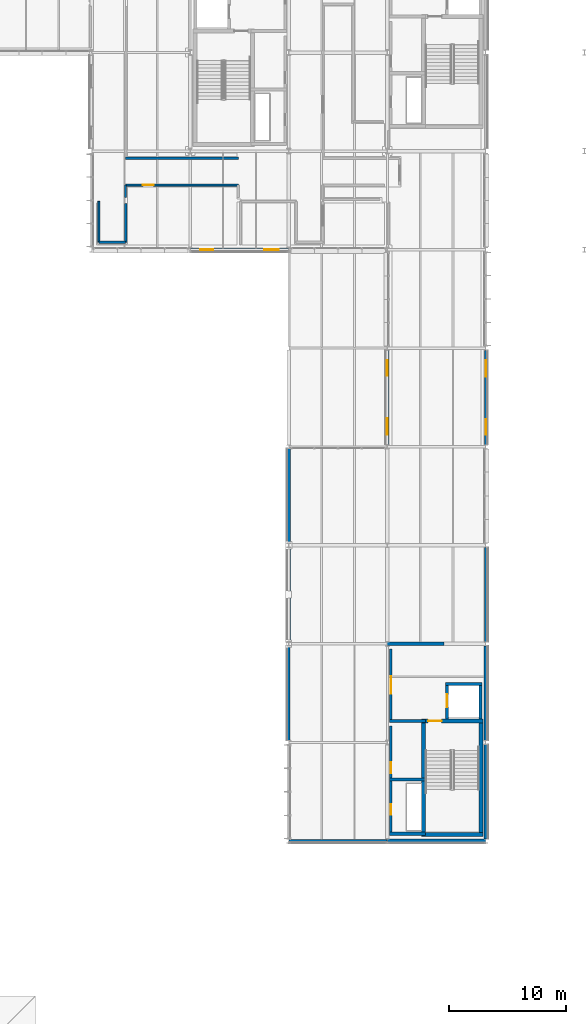
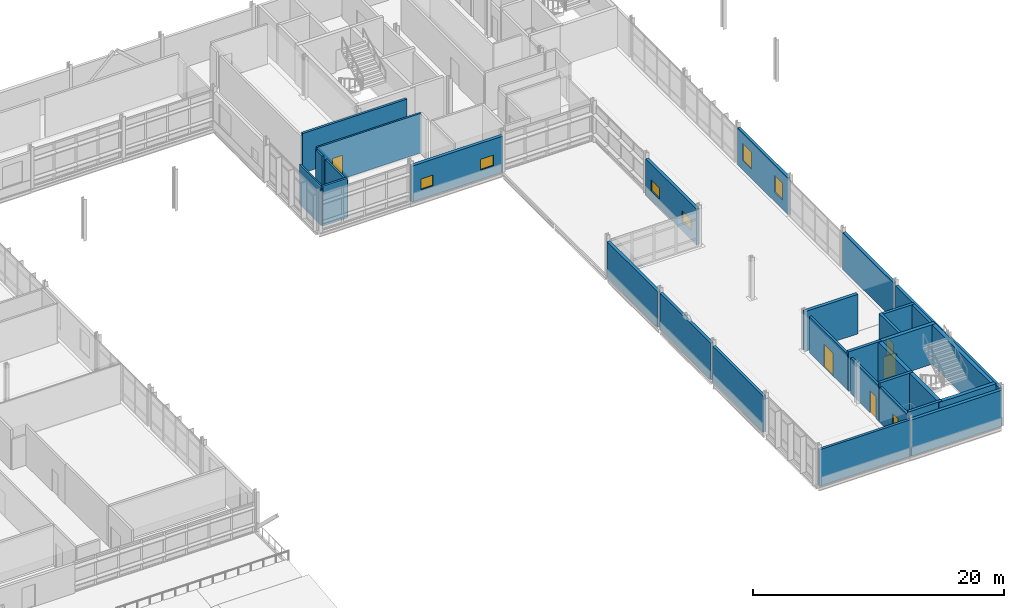
# One storey, part 88 of 103: 31 walls, 6 doors, 6 windows, 12 openings.
"""IFC4 building model written with IfcOpenShell, lengths in metres."""

from ifc_helpers import new_model, si_unit, direction, frame, frame_2d, origin, place, context, subcontext, project, spatial, rectangle, extrude, material, layer, layer_set, type_object, element, fill, save


model = new_model("IFC4")

# Units and contexts
model_context = context("Model", 3, precision=1e-05, world=origin(), true_north=direction((0.0, 1.0)))
body_context = subcontext(model_context, "Body", "Model", "MODEL_VIEW")
ifc_project = project(units=[si_unit("LENGTHUNIT", "METRE"), si_unit("AREAUNIT", "SQUARE_METRE"), si_unit("VOLUMEUNIT", "CUBIC_METRE"), si_unit("PLANEANGLEUNIT", "RADIAN"), si_unit("MASSUNIT", "GRAM", prefix="KILO")], contexts=[model_context])

# Site, building, storey
site_placement = place(None, origin())
site = spatial("IfcSite", under=ifc_project, at=site_placement, CompositionType="ELEMENT")
building_placement = place(site_placement, origin())
building = spatial("IfcBuilding", under=site, at=building_placement, Name="Mersafa Astral City Hall", CompositionType="ELEMENT")
storey_placement = place(building_placement, frame((0.0, 0.0, 18.0)))
storey = spatial("IfcBuildingStorey", under=building, at=storey_placement, Name="L04", CompositionType="ELEMENT", Elevation=18.0)

# Walls
ifc_material_1 = material(Name="Precast concrete C40/50 insulated terracotta spandrel", Category="masonry")
ifc_layer_1 = layer(ifc_material_1, 0.235107421875, Name="Precast concrete C40/50 insulated terracotta spandrel")
ifc_layer_set_1 = layer_set([ifc_layer_1], Name="Precast concrete C40/50 insulated terracotta spandrel — ENV-WAL-EXT-235")
wall_type_1 = type_object("IfcWallType", Name="ENV-WAL-EXT-235", PredefinedType="STANDARD", material=ifc_layer_set_1)
wall_1_placement = place(storey_placement, frame((159.60791015625, 50.39990234375, 0.0), z_axis=(0.0, 0.0, 1.0), x_axis=(1.0, 0.0, 0.0)))
element("IfcWall", 1, at=wall_1_placement, inside=storey, type_object=wall_type_1, Name="L04 Limestone-clad exterior wall 287", PredefinedType="STANDARD", context=body_context, shape_type="SweptSolid", body=[
    extrude(rectangle(XDim=8.384033203125, YDim=0.235107421875, at=frame_2d((4.19189453125, 0.0))), origin(), (0.0, 0.0, 1.0), 3.52197265625),
])
ifc_layer_2 = layer(ifc_material_1, 0.25, Name="Precast concrete C40/50 insulated terracotta spandrel")
ifc_layer_set_2 = layer_set([ifc_layer_2], Name="Precast concrete C40/50 insulated terracotta spandrel — ENV-WAL-EXT-250")
wall_type_2 = type_object("IfcWallType", Name="ENV-WAL-EXT-250", PredefinedType="STANDARD", material=ifc_layer_set_2)
wall_2_placement = place(storey_placement, frame((159.60009765625, 67.033935546875, 0.0), z_axis=(0.0, 0.0, 1.0), x_axis=(0.0, -1.0, 0.0)))
element("IfcWall", 2, at=wall_2_placement, inside=storey, type_object=wall_type_2, Name="L04 Limestone-clad exterior wall 286", PredefinedType="STANDARD", context=body_context, shape_type="SweptSolid", body=[
    extrude(rectangle(XDim=8.057861328125, YDim=0.25, at=frame_2d((4.02880859375, 0.0))), origin(), (0.0, 0.0, 1.0), 3.491943359375),
])

# Wall, openings, windows
wall_3_placement = place(storey_placement, frame((176.39990234375, 84.166015625, 0.0), z_axis=(0.0, 0.0, 1.0), x_axis=(0.0, 1.0, 0.0)))
wall_3 = element("IfcWall", 3, at=wall_3_placement, inside=storey, type_object=wall_type_2, Name="L04 Limestone-clad exterior wall 292", PredefinedType="STANDARD", context=body_context, shape_type="SweptSolid", body=[
    extrude(rectangle(XDim=8.05810546875, YDim=0.25, at=frame_2d((4.029052734375, 0.0))), origin(), (0.0, 0.0, 1.0), 3.58203125),
])
opening_1_placement = place(wall_3_placement, frame((0.85009765625, 0.0, 0.89990234375)))
opening_1 = element("IfcOpeningElement", 4, at=opening_1_placement, cuts=wall_3, Name="Opening W-34", PredefinedType="OPENING", context=body_context, shape_type="SweptSolid", body=[
    extrude(rectangle(XDim=1.320068359375, YDim=1.64990234375, at=frame_2d((0.66015625, 0.824951171875))), frame((0.0, 0.135009765625, 0.0), z_axis=(0.0, -1.0, 0.0), x_axis=(1.0, 0.0, 0.0)), (0.0, 0.0, 1.0), 0.27001953125),
])
opening_2_placement = place(wall_3_placement, frame((5.7880859375, 0.0, 0.89990234375)))
opening_2 = element("IfcOpeningElement", 5, at=opening_2_placement, cuts=wall_3, Name="Opening W-35", PredefinedType="OPENING", context=body_context, shape_type="SweptSolid", body=[
    extrude(rectangle(XDim=1.419921875, YDim=1.64990234375, at=frame_2d((0.7099609375, 0.824951171875))), frame((0.0, 0.135009765625, 0.0), z_axis=(0.0, -1.0, 0.0), x_axis=(1.0, 0.0, 0.0)), (0.0, 0.0, 1.0), 0.27001953125),
])
ifc_material_2 = material(Name="Solar control low-e double glazing in bronze frame", Category="glass")
window_type_1 = type_object("IfcWindowType", Name="ENV-WIN-W-34", PartitioningType="SINGLE_PANEL", PredefinedType="WINDOW", material=ifc_material_2)
window_1_placement = place(opening_1_placement, origin())
window_1 = element("IfcWindow", 6, at=window_1_placement, inside=storey, type_object=window_type_1, Name="L04 Solar punched window 292-L", OverallHeight=1.64990234375, OverallWidth=1.320068359375, PartitioningType="SINGLE_PANEL", PredefinedType="WINDOW", context=body_context, shape_type="SweptSolid", body=[
    extrude(rectangle(XDim=1.320068359375, YDim=1.64990234375, at=frame_2d((0.66015625, 0.824951171875))), frame((0.0, 0.030029296875, 0.0), z_axis=(0.0, -1.0, 0.0), x_axis=(1.0, 0.0, 0.0)), (0.0, 0.0, 1.0), 0.06005859375),
])
fill(opening_1, window_1)
window_type_2 = type_object("IfcWindowType", Name="ENV-WIN-W-35", PartitioningType="SINGLE_PANEL", PredefinedType="WINDOW", material=ifc_material_2)
window_2_placement = place(opening_2_placement, origin())
window_2 = element("IfcWindow", 7, at=window_2_placement, inside=storey, type_object=window_type_2, Name="L04 Solar punched window 292-R", OverallHeight=1.64990234375, OverallWidth=1.419921875, PartitioningType="SINGLE_PANEL", PredefinedType="WINDOW", context=body_context, shape_type="SweptSolid", body=[
    extrude(rectangle(XDim=1.419921875, YDim=1.64990234375, at=frame_2d((0.7099609375, 0.824951171875))), frame((0.0, 0.030029296875, 0.0), z_axis=(0.0, -1.0, 0.0), x_axis=(1.0, 0.0, 0.0)), (0.0, 0.0, 1.0), 0.06005859375),
])
fill(opening_2, window_2)

# Walls
ifc_material_3 = material(Name="Precast concrete C40/50 insulated limestone wall", Category="masonry")
ifc_layer_3 = layer(ifc_material_3, 0.264892578125, Name="Precast concrete C40/50 insulated limestone wall")
ifc_layer_set_3 = layer_set([ifc_layer_3], Name="Precast concrete C40/50 insulated limestone wall — ENV-WAL-EXT-265")
wall_type_3 = type_object("IfcWallType", Name="ENV-WAL-EXT-265", PredefinedType="STANDARD", material=ifc_layer_set_3)
for number, where, z_axis, x_axis, name in (
    (8, (159.60009765625, 75.424072265625, 0.0), (0.0, 0.0, 1.0), (0.0, -1.0, 0.0), "L04 Limestone-clad exterior wall 285"),
    (9, (176.39990234375, 67.365966796875, 0.0), (0.0, 0.0, 1.0), (0.0, 1.0, 0.0), "L04 Limestone-clad exterior wall 291"),
):
    element("IfcWall", number, at=place(storey_placement, frame(where, z_axis=z_axis, x_axis=x_axis)), inside=storey, type_object=wall_type_3, Name=name, PredefinedType="STANDARD", context=body_context, shape_type="SweptSolid", body=[
        extrude(rectangle(XDim=8.05810546875, YDim=0.264892578125, at=frame_2d((4.029052734375, 0.0))), origin(), (0.0, 0.0, 1.0), 3.58203125),
    ])
ifc_layer_4 = layer(ifc_material_3, 0.280029296875, Name="Precast concrete C40/50 insulated limestone wall")
ifc_layer_set_4 = layer_set([ifc_layer_4], Name="Precast concrete C40/50 insulated limestone wall — ENV-WAL-EXT-280")
wall_type_4 = type_object("IfcWallType", Name="ENV-WAL-EXT-280", PredefinedType="STANDARD", material=ifc_layer_set_4)
wall_4_placement = place(storey_placement, frame((159.60009765625, 83.85400390625, 0.0), z_axis=(0.0, 0.0, 1.0), x_axis=(0.0, -1.0, 0.0)))
element("IfcWall", 10, at=wall_4_placement, inside=storey, type_object=wall_type_4, Name="L04 Limestone-clad exterior wall 284", PredefinedType="STANDARD", context=body_context, shape_type="SweptSolid", body=[
    extrude(rectangle(XDim=8.078125, YDim=0.280029296875, at=frame_2d((4.0390625, 0.0))), origin(), (0.0, 0.0, 1.0), 3.471923828125),
])
wall_5_placement = place(storey_placement, frame((176.39990234375, 58.97607421875, 0.0), z_axis=(0.0, 0.0, 1.0), x_axis=(0.0, 1.0, 0.0)))
element("IfcWall", 11, at=wall_5_placement, inside=storey, type_object=wall_type_4, Name="L04 Limestone-clad exterior wall 290", PredefinedType="STANDARD", context=body_context, shape_type="SweptSolid", body=[
    extrude(rectangle(XDim=8.057861328125, YDim=0.280029296875, at=frame_2d((4.02880859375, 0.0))), origin(), (0.0, 0.0, 1.0), 3.491943359375),
])

# Wall, openings, windows
wall_6_placement = place(storey_placement, frame((168.0, 92.23388671875, 0.0), z_axis=(0.0, 0.0, 1.0), x_axis=(0.0, -1.0, 0.0)))
wall_6 = element("IfcWall", 12, at=wall_6_placement, inside=storey, type_object=wall_type_4, Name="L04 Limestone-clad exterior wall 332", PredefinedType="STANDARD", context=body_context, shape_type="SweptSolid", body=[
    extrude(rectangle(XDim=8.057861328125, YDim=0.280029296875, at=frame_2d((4.02880859375, 0.0))), origin(), (0.0, 0.0, 1.0), 3.491943359375),
])
opening_3_placement = place(wall_6_placement, frame((0.85009765625, 0.0, 0.89990234375)))
opening_3 = element("IfcOpeningElement", 13, at=opening_3_placement, cuts=wall_6, Name="Opening W-04", PredefinedType="OPENING", context=body_context, shape_type="SweptSolid", body=[
    extrude(rectangle(XDim=1.320068359375, YDim=1.050048828125, at=frame_2d((0.66015625, 0.52490234375))), frame((0.0, 0.14990234375, 0.0), z_axis=(0.0, -1.0, 0.0), x_axis=(1.0, 0.0, 0.0)), (0.0, 0.0, 1.0), 0.300048828125),
])
opening_4_placement = place(wall_6_placement, frame((5.7880859375, 0.0, 0.89990234375)))
opening_4 = element("IfcOpeningElement", 14, at=opening_4_placement, cuts=wall_6, Name="Opening W-05", PredefinedType="OPENING", context=body_context, shape_type="SweptSolid", body=[
    extrude(rectangle(XDim=1.419921875, YDim=1.050048828125, at=frame_2d((0.7099609375, 0.52490234375))), frame((0.0, 0.14990234375, 0.0), z_axis=(0.0, -1.0, 0.0), x_axis=(1.0, 0.0, 0.0)), (0.0, 0.0, 1.0), 0.300048828125),
])
window_type_3 = type_object("IfcWindowType", Name="ENV-WIN-W-04", PartitioningType="SINGLE_PANEL", PredefinedType="WINDOW", material=ifc_material_2)
window_3_placement = place(opening_3_placement, origin())
window_3 = element("IfcWindow", 15, at=window_3_placement, inside=storey, type_object=window_type_3, Name="L04 Solar punched window 332-L", OverallHeight=1.050048828125, OverallWidth=1.320068359375, PartitioningType="SINGLE_PANEL", PredefinedType="WINDOW", context=body_context, shape_type="SweptSolid", body=[
    extrude(rectangle(XDim=1.320068359375, YDim=1.050048828125, at=frame_2d((0.66015625, 0.52490234375))), frame((0.0, 0.030029296875, 0.0), z_axis=(0.0, -1.0, 0.0), x_axis=(1.0, 0.0, 0.0)), (0.0, 0.0, 1.0), 0.06005859375),
])
fill(opening_3, window_3)
window_type_4 = type_object("IfcWindowType", Name="ENV-WIN-W-05", PartitioningType="SINGLE_PANEL", PredefinedType="WINDOW", material=ifc_material_2)
window_4_placement = place(opening_4_placement, origin())
window_4 = element("IfcWindow", 16, at=window_4_placement, inside=storey, type_object=window_type_4, Name="L04 Solar punched window 332-R", OverallHeight=1.050048828125, OverallWidth=1.419921875, PartitioningType="SINGLE_PANEL", PredefinedType="WINDOW", context=body_context, shape_type="SweptSolid", body=[
    extrude(rectangle(XDim=1.419921875, YDim=1.050048828125, at=frame_2d((0.7099609375, 0.52490234375))), frame((0.0, 0.030029296875, 0.0), z_axis=(0.0, -1.0, 0.0), x_axis=(1.0, 0.0, 0.0)), (0.0, 0.0, 1.0), 0.06005859375),
])
fill(opening_4, window_4)

# Wall
ifc_layer_5 = layer(ifc_material_3, 0.294921875, Name="Precast concrete C40/50 insulated limestone wall")
ifc_layer_set_5 = layer_set([ifc_layer_5], Name="Precast concrete C40/50 insulated limestone wall — ENV-WAL-EXT-295")
wall_type_5 = type_object("IfcWallType", Name="ENV-WAL-EXT-295", PredefinedType="STANDARD", material=ifc_layer_set_5)
wall_7_placement = place(storey_placement, frame((176.39990234375, 50.56591796875, 0.0), z_axis=(0.0, 0.0, 1.0), x_axis=(0.0, 1.0, 0.0)))
element("IfcWall", 17, at=wall_7_placement, inside=storey, type_object=wall_type_5, Name="L04 Limestone-clad exterior wall 289", PredefinedType="STANDARD", context=body_context, shape_type="SweptSolid", body=[
    extrude(rectangle(XDim=8.05810546875, YDim=0.294921875, at=frame_2d((4.029052734375, 0.0))), origin(), (0.0, 0.0, 1.0), 3.58203125),
])

# Wall, openings, windows
wall_8_placement = place(storey_placement, frame((151.2080078125, 100.800048828125, 0.0), z_axis=(0.0, 0.0, 1.0), x_axis=(1.0, 0.0, 0.0)))
wall_8 = element("IfcWall", 18, at=wall_8_placement, inside=storey, type_object=wall_type_5, Name="L04 Limestone-clad exterior wall 331", PredefinedType="STANDARD", context=body_context, shape_type="SweptSolid", body=[
    extrude(rectangle(XDim=8.384033203125, YDim=0.294921875, at=frame_2d((4.19189453125, 0.0))), origin(), (0.0, 0.0, 1.0), 3.491943359375),
])
opening_5_placement = place(wall_8_placement, frame((0.85009765625, 0.0, 0.89990234375)))
opening_5 = element("IfcOpeningElement", 19, at=opening_5_placement, cuts=wall_8, Name="Opening W-02", PredefinedType="OPENING", context=body_context, shape_type="SweptSolid", body=[
    extrude(rectangle(XDim=1.1201171875, YDim=1.050048828125, at=frame_2d((0.56005859375, 0.52490234375))), frame((0.0, 0.157470703125, 0.0), z_axis=(0.0, -1.0, 0.0), x_axis=(1.0, 0.0, 0.0)), (0.0, 0.0, 1.0), 0.31494140625),
])
opening_6_placement = place(wall_8_placement, frame((6.31396484375, 0.0, 0.89990234375)))
opening_6 = element("IfcOpeningElement", 20, at=opening_6_placement, cuts=wall_8, Name="Opening W-03", PredefinedType="OPENING", context=body_context, shape_type="SweptSolid", body=[
    extrude(rectangle(XDim=1.219970703125, YDim=1.050048828125, at=frame_2d((0.60986328125, 0.52490234375))), frame((0.0, 0.157470703125, 0.0), z_axis=(0.0, -1.0, 0.0), x_axis=(1.0, 0.0, 0.0)), (0.0, 0.0, 1.0), 0.31494140625),
])
window_type_5 = type_object("IfcWindowType", Name="ENV-WIN-W-02", PartitioningType="SINGLE_PANEL", PredefinedType="WINDOW", material=ifc_material_2)
window_5_placement = place(opening_5_placement, origin())
window_5 = element("IfcWindow", 21, at=window_5_placement, inside=storey, type_object=window_type_5, Name="L04 Solar punched window 331-L", OverallHeight=1.050048828125, OverallWidth=1.1201171875, PartitioningType="SINGLE_PANEL", PredefinedType="WINDOW", context=body_context, shape_type="SweptSolid", body=[
    extrude(rectangle(XDim=1.1201171875, YDim=1.050048828125, at=frame_2d((0.56005859375, 0.52490234375))), frame((0.0, 0.030029296875, 0.0), z_axis=(0.0, -1.0, 0.0), x_axis=(1.0, 0.0, 0.0)), (0.0, 0.0, 1.0), 0.06005859375),
])
fill(opening_5, window_5)
window_type_6 = type_object("IfcWindowType", Name="ENV-WIN-W-03", PartitioningType="SINGLE_PANEL", PredefinedType="WINDOW", material=ifc_material_2)
window_6_placement = place(opening_6_placement, origin())
window_6 = element("IfcWindow", 22, at=window_6_placement, inside=storey, type_object=window_type_6, Name="L04 Solar punched window 331-R", OverallHeight=1.050048828125, OverallWidth=1.219970703125, PartitioningType="SINGLE_PANEL", PredefinedType="WINDOW", context=body_context, shape_type="SweptSolid", body=[
    extrude(rectangle(XDim=1.219970703125, YDim=1.050048828125, at=frame_2d((0.60986328125, 0.52490234375))), frame((0.0, 0.030029296875, 0.0), z_axis=(0.0, -1.0, 0.0), x_axis=(1.0, 0.0, 0.0)), (0.0, 0.0, 1.0), 0.06005859375),
])
fill(opening_6, window_6)

# Walls
ifc_layer_6 = layer(ifc_material_3, 0.31005859375, Name="Precast concrete C40/50 insulated limestone wall")
ifc_layer_set_6 = layer_set([ifc_layer_6], Name="Precast concrete C40/50 insulated limestone wall — ENV-WAL-EXT-310")
wall_type_6 = type_object("IfcWallType", Name="ENV-WAL-EXT-310", PredefinedType="STANDARD", material=ifc_layer_set_6)
wall_9_placement = place(storey_placement, frame((168.008056640625, 50.39990234375, 0.0), z_axis=(0.0, 0.0, 1.0), x_axis=(1.0, 0.0, 0.0)))
element("IfcWall", 23, at=wall_9_placement, inside=storey, type_object=wall_type_6, Name="L04 Limestone-clad exterior wall 288", PredefinedType="STANDARD", context=body_context, shape_type="SweptSolid", body=[
    extrude(rectangle(XDim=8.384033203125, YDim=0.31005859375, at=frame_2d((4.19189453125, 0.0))), origin(), (0.0, 0.0, 1.0), 3.491943359375),
])
ifc_material_4 = material(Name="Concrete C40/50", Category="concrete")
ifc_layer_7 = layer(ifc_material_4, 0.260009765625, Name="Concrete C40/50")
ifc_layer_set_7 = layer_set([ifc_layer_7], Name="Concrete C40/50 — INT-WAL-CORE-260")
wall_type_7 = type_object("IfcWallType", Name="INT-WAL-CORE-260", PredefinedType="SHEAR", material=ifc_layer_set_7)
wall_10_placement = place(storey_placement, frame((172.955078125, 63.784912109375, 0.0), z_axis=(0.0, 0.0, 1.0), x_axis=(1.0, 0.0, 0.0)))
element("IfcWall", 24, at=wall_10_placement, inside=storey, type_object=wall_type_7, Name="L04 Lift LF6 north shaft wall", PredefinedType="SHEAR", context=body_context, shape_type="SweptSolid", body=[
    extrude(rectangle(XDim=3.1298828125, YDim=0.260009765625, at=frame_2d((1.56494140625, 0.0))), origin(), (0.0, 0.0, 1.0), 3.85009765625),
])
wall_11_placement = place(storey_placement, frame((175.955078125, 60.797119140625, 0.0), z_axis=(0.0, 0.0, 1.0), x_axis=(0.0, 1.0, 0.0)))
element("IfcWall", 25, at=wall_11_placement, inside=storey, type_object=wall_type_7, Name="L04 Lift LF6 back shaft wall", PredefinedType="SHEAR", context=body_context, shape_type="SweptSolid", body=[
    extrude(rectangle(XDim=3.117919921875, YDim=0.260009765625, at=frame_2d((1.55908203125, 0.0))), origin(), (0.0, 0.0, 1.0), 3.85009765625),
])

# Wall, opening, door
wall_12_placement = place(storey_placement, frame((173.0849609375, 60.797119140625, 0.0), z_axis=(0.0, 0.0, 1.0), x_axis=(0.0, 1.0, 0.0)))
wall_12 = element("IfcWall", 26, at=wall_12_placement, inside=storey, type_object=wall_type_7, Name="L04 Lift LF6 front shaft wall", PredefinedType="SHEAR", context=body_context, shape_type="SweptSolid", body=[
    extrude(rectangle(XDim=3.117919921875, YDim=0.260009765625, at=frame_2d((1.55908203125, 0.0))), origin(), (0.0, 0.0, 1.0), 3.85009765625),
])
opening_7_placement = place(wall_12_placement, frame((1.009033203125, 0.0, 0.0)))
opening_7 = element("IfcOpeningElement", 27, at=opening_7_placement, cuts=wall_12, Name="Opening LD-1", PredefinedType="OPENING", context=body_context, shape_type="SweptSolid", body=[
    extrude(rectangle(XDim=1.10009765625, YDim=2.14990234375, at=frame_2d((0.550048828125, 1.074951171875))), frame((0.0, 0.139892578125, 0.0), z_axis=(0.0, -1.0, 0.0), x_axis=(1.0, 0.0, 0.0)), (0.0, 0.0, 1.0), 0.280029296875),
])
ifc_material_5 = material(Name="Stainless steel sliding lift landing door", Category="steel")
door_type_1 = type_object("IfcDoorType", Name="INT-DR-LIFT-LD1", OperationType="NOTDEFINED", PredefinedType="DOOR", material=ifc_material_5)
door_1_placement = place(opening_7_placement, origin())
door_1 = element("IfcDoor", 28, at=door_1_placement, inside=storey, type_object=door_type_1, Name="Elevator LF6 Sliding Landing Door L04", OperationType="DOUBLE_DOOR_SLIDING", OverallHeight=2.14990234375, OverallWidth=1.10009765625, PredefinedType="DOOR", context=body_context, shape_type="SweptSolid", body=[
    extrude(rectangle(XDim=1.10009765625, YDim=2.14990234375, at=frame_2d((0.550048828125, 1.074951171875))), frame((0.0, 0.02490234375, 0.0), z_axis=(0.0, -1.0, 0.0), x_axis=(1.0, 0.0, 0.0)), (0.0, 0.0, 1.0), 0.050048828125),
])
fill(opening_7, door_1)

# Walls
for number, where, z_axis, x_axis, name in (
    (29, (168.199951171875, 51.02001953125, 0.0), (0.0, 0.0, 1.0), (1.0, 0.0, 0.0), "L04 Core K4 riser south wall"),
    (30, (168.199951171875, 55.635009765625, 0.0), (0.0, 0.0, 1.0), (1.0, 0.0, 0.0), "L04 Core K4 riser-restroom divider wall"),
    (31, (168.199951171875, 60.635009765625, 0.0), (0.0, 0.0, 1.0), (1.0, 0.0, 0.0), "L04 Core K4 restroom-lobby divider wall"),
):
    element("IfcWall", number, at=place(storey_placement, frame(where, z_axis=z_axis, x_axis=x_axis)), inside=storey, type_object=wall_type_7, Name=name, PredefinedType="SHEAR", context=body_context, shape_type="SweptSolid", body=[
        extrude(rectangle(XDim=3.03515625, YDim=0.260009765625, at=frame_2d((1.517578125, 0.0))), origin(), (0.0, 0.0, 1.0), 3.85009765625),
    ])
ifc_layer_8 = layer(ifc_material_4, 0.300048828125, Name="Concrete C40/50")
ifc_layer_set_8 = layer_set([ifc_layer_8], Name="Concrete C40/50 — INT-WAL-CORE-300")
wall_type_8 = type_object("IfcWallType", Name="INT-WAL-CORE-300", PredefinedType="SHEAR", material=ifc_layer_set_8)
wall_13_placement = place(storey_placement, frame((167.97998046875, 67.2099609375, 0.0), z_axis=(0.0, 0.0, 1.0), x_axis=(1.0, 0.0, 0.0)))
element("IfcWall", 32, at=wall_13_placement, inside=storey, type_object=wall_type_8, Name="L04 Core K4 lobby north shear wall", PredefinedType="SHEAR", context=body_context, shape_type="SweptSolid", body=[
    extrude(rectangle(XDim=4.8701171875, YDim=0.300048828125, at=frame_2d((2.43505859375, 0.0))), origin(), (0.0, 0.0, 1.0), 3.85009765625),
])
ifc_layer_9 = layer(ifc_material_4, 0.340087890625, Name="Concrete C40/50")
ifc_layer_set_9 = layer_set([ifc_layer_9], Name="Concrete C40/50 — INT-WAL-CORE-340")
wall_type_9 = type_object("IfcWallType", Name="INT-WAL-CORE-340", PredefinedType="SHEAR", material=ifc_layer_set_9)
for number, where, z_axis, x_axis, name in (
    (33, (171.0849609375, 50.804931640625, 0.0), (0.0, 0.0, 1.0), (0.0, 1.0, 0.0), "L04 Core K4 stair west shear wall"),
    (34, (175.9951171875, 50.804931640625, 0.0), (0.0, 0.0, 1.0), (0.0, 1.0, 0.0), "L04 Core K4 stair east shear wall"),
):
    element("IfcWall", number, at=place(storey_placement, frame(where, z_axis=z_axis, x_axis=x_axis)), inside=storey, type_object=wall_type_9, Name=name, PredefinedType="SHEAR", context=body_context, shape_type="SweptSolid", body=[
        extrude(rectangle(XDim=9.989990234375, YDim=0.340087890625, at=frame_2d((4.9951171875, 0.0))), origin(), (0.0, 0.0, 1.0), 3.85009765625),
    ])
wall_14_placement = place(storey_placement, frame((170.9150390625, 50.97509765625, 0.0), z_axis=(0.0, 0.0, 1.0), x_axis=(1.0, 0.0, 0.0)))
element("IfcWall", 35, at=wall_14_placement, inside=storey, type_object=wall_type_9, Name="L04 Core K4 stair south shear wall", PredefinedType="SHEAR", context=body_context, shape_type="SweptSolid", body=[
    extrude(rectangle(XDim=5.25, YDim=0.340087890625, at=frame_2d((2.625, 0.0))), origin(), (0.0, 0.0, 1.0), 3.85009765625),
])

# Wall, opening, door
wall_15_placement = place(storey_placement, frame((170.9150390625, 60.625, 0.0), z_axis=(0.0, 0.0, 1.0), x_axis=(1.0, 0.0, 0.0)))
wall_15 = element("IfcWall", 36, at=wall_15_placement, inside=storey, type_object=wall_type_9, Name="L04 Core K4 stair-lobby fire wall", PredefinedType="SHEAR", context=body_context, shape_type="SweptSolid", body=[
    extrude(rectangle(XDim=5.25, YDim=0.340087890625, at=frame_2d((2.625, 0.0))), origin(), (0.0, 0.0, 1.0), 3.85009765625),
])
opening_8_placement = place(wall_15_placement, frame((0.56494140625, 0.0, 0.0)))
opening_8 = element("IfcOpeningElement", 37, at=opening_8_placement, cuts=wall_15, Name="Opening CD-1", PredefinedType="OPENING", context=body_context, shape_type="SweptSolid", body=[
    extrude(rectangle(XDim=1.14990234375, YDim=2.14990234375, at=frame_2d((0.574951171875, 1.074951171875))), frame((0.0, 0.179931640625, 0.0), z_axis=(0.0, -1.0, 0.0), x_axis=(1.0, 0.0, 0.0)), (0.0, 0.0, 1.0), 0.360107421875),
])
ifc_material_6 = material(Name="Fire-rated steel stair door", Category="steel")
door_type_2 = type_object("IfcDoorType", Name="INT-DR-STAIR-FD90-1150", OperationType="NOTDEFINED", PredefinedType="DOOR", material=ifc_material_6)
door_2_placement = place(opening_8_placement, origin())
door_2 = element("IfcDoor", 38, at=door_2_placement, inside=storey, type_object=door_type_2, Name="L04 Protected Stair ST4 Door", OperationType="SINGLE_SWING_LEFT", OverallHeight=2.14990234375, OverallWidth=1.14990234375, PredefinedType="DOOR", context=body_context, shape_type="SweptSolid", body=[
    extrude(rectangle(XDim=1.14990234375, YDim=2.14990234375, at=frame_2d((0.574951171875, 1.074951171875))), frame((0.0, 0.02490234375, 0.0), z_axis=(0.0, -1.0, 0.0), x_axis=(1.0, 0.0, 0.0)), (0.0, 0.0, 1.0), 0.050048828125),
])
fill(opening_8, door_2)

# Wall
ifc_material_7 = material(Name="Fire-rated gypsum stud partition", Category="gypsum")
ifc_layer_10 = layer(ifc_material_7, 0.1650390625, Name="Fire-rated gypsum stud partition")
ifc_layer_set_10 = layer_set([ifc_layer_10], Name="Fire-rated gypsum stud partition — INT-WAL-PART-EI60-165")
wall_type_10 = type_object("IfcWallType", Name="INT-WAL-PART-EI60-165", PredefinedType="STANDARD", material=ifc_layer_set_10)
wall_16_placement = place(storey_placement, frame((143.419921875, 104.909912109375, -0.00390625), z_axis=(0.0, 0.0, 1.0), x_axis=(0.0, -1.0, 0.0)))
element("IfcWall", 39, at=wall_16_placement, inside=storey, type_object=wall_type_10, Name="L04 Interior partition wall 719", PredefinedType="STANDARD", context=body_context, shape_type="SweptSolid", body=[
    extrude(rectangle(XDim=3.489990234375, YDim=0.1650390625, at=frame_2d((1.7451171875, 0.0))), origin(), (0.0, 0.0, 1.0), 3.85400390625),
])

# Wall, opening, door
wall_17_placement = place(storey_placement, frame((145.699951171875, 106.300048828125, -0.00390625), z_axis=(0.0, 0.0, 1.0), x_axis=(1.0, 0.0, 0.0)))
wall_17 = element("IfcWall", 40, at=wall_17_placement, inside=storey, type_object=wall_type_10, Name="L04 Interior partition wall 723", PredefinedType="STANDARD", context=body_context, shape_type="SweptSolid", body=[
    extrude(rectangle(XDim=9.610107421875, YDim=0.1650390625, at=frame_2d((4.80517578125, 0.0))), origin(), (0.0, 0.0, 1.0), 3.85400390625),
])
opening_9_placement = place(wall_17_placement, frame((1.4619140625, 0.0, 0.0)))
opening_9 = element("IfcOpeningElement", 41, at=opening_9_placement, cuts=wall_17, Name="Opening D-28", PredefinedType="OPENING", context=body_context, shape_type="SweptSolid", body=[
    extrude(rectangle(XDim=0.919921875, YDim=2.300048828125, at=frame_2d((0.4599609375, 1.14990234375))), frame((0.0, 0.092529296875, 0.0), z_axis=(0.0, -1.0, 0.0), x_axis=(1.0, 0.0, 0.0)), (0.0, 0.0, 1.0), 0.18505859375),
])
ifc_material_8 = material(Name="Cedar veneered acoustic fire-rated timber door", Category="wood")
door_type_3 = type_object("IfcDoorType", Name="INT-DR-RM-D-28", OperationType="NOTDEFINED", PredefinedType="DOOR", material=ifc_material_8)
door_3_placement = place(opening_9_placement, origin())
door_3 = element("IfcDoor", 42, at=door_3_placement, inside=storey, type_object=door_type_3, Name="L04 Social Services Directorate Office L04-09 Entrance Door", OperationType="SINGLE_SWING_RIGHT", OverallHeight=2.300048828125, OverallWidth=0.919921875, PredefinedType="DOOR", context=body_context, shape_type="SweptSolid", body=[
    extrude(rectangle(XDim=0.919921875, YDim=2.300048828125, at=frame_2d((0.4599609375, 1.14990234375))), frame((0.0, 0.02490234375, 0.0), z_axis=(0.0, -1.0, 0.0), x_axis=(1.0, 0.0, 0.0)), (0.0, 0.0, 1.0), 0.050048828125),
])
fill(opening_9, door_3)

# Walls
ifc_material_9 = material(Name="Acoustic twin-stud gypsum partition", Category="gypsum")
ifc_layer_11 = layer(ifc_material_9, 0.179931640625, Name="Acoustic twin-stud gypsum partition")
ifc_layer_set_11 = layer_set([ifc_layer_11], Name="Acoustic twin-stud gypsum partition — INT-WAL-PART-EI60-180")
wall_type_11 = type_object("IfcWallType", Name="INT-WAL-PART-EI60-180", PredefinedType="STANDARD", material=ifc_layer_set_11)
wall_18_placement = place(storey_placement, frame((145.699951171875, 105.260009765625, -0.00390625), z_axis=(0.0, 0.0, 1.0), x_axis=(0.0, 1.0, 0.0)))
element("IfcWall", 43, at=wall_18_placement, inside=storey, type_object=wall_type_11, Name="L04 Interior partition wall 722", PredefinedType="STANDARD", context=body_context, shape_type="SweptSolid", body=[
    extrude(rectangle(XDim=1.0400390625, YDim=0.179931640625, at=frame_2d((0.52001953125, 0.0))), origin(), (0.0, 0.0, 1.0), 3.635986328125),
])
ifc_layer_12 = layer(ifc_material_9, 0.195068359375, Name="Acoustic twin-stud gypsum partition")
ifc_layer_set_12 = layer_set([ifc_layer_12], Name="Acoustic twin-stud gypsum partition — INT-WAL-PART-EI60-195")
wall_type_12 = type_object("IfcWallType", Name="INT-WAL-PART-EI60-195", PredefinedType="STANDARD", material=ifc_layer_set_12)
wall_19_placement = place(storey_placement, frame((145.699951171875, 101.419921875, -0.00390625), z_axis=(0.0, 0.0, 1.0), x_axis=(0.0, 1.0, 0.0)))
element("IfcWall", 44, at=wall_19_placement, inside=storey, type_object=wall_type_12, Name="L04 Interior partition wall 721", PredefinedType="STANDARD", context=body_context, shape_type="SweptSolid", body=[
    extrude(rectangle(XDim=3.320068359375, YDim=0.195068359375, at=frame_2d((1.66015625, 0.0))), origin(), (0.0, 0.0, 1.0), 3.635986328125),
])

# Wall, opening, door
ifc_material_10 = material(Name="Autoclaved aerated concrete blockwork plastered", Category="masonry")
ifc_layer_13 = layer(ifc_material_10, 0.2099609375, Name="Autoclaved aerated concrete blockwork plastered")
ifc_layer_set_13 = layer_set([ifc_layer_13], Name="Autoclaved aerated concrete blockwork plastered — INT-WAL-PART-EI60-210")
wall_type_13 = type_object("IfcWallType", Name="INT-WAL-PART-EI60-210", PredefinedType="STANDARD", material=ifc_layer_set_13)
wall_20_placement = place(storey_placement, frame((168.300048828125, 51.02001953125, 0.0), z_axis=(0.0, 0.0, 1.0), x_axis=(0.0, 1.0, 0.0)))
wall_20 = element("IfcWall", 45, at=wall_20_placement, inside=storey, type_object=wall_type_13, Name="L04 Core K4 riser corridor partition", PredefinedType="STANDARD", context=body_context, shape_type="SweptSolid", body=[
    extrude(rectangle(XDim=4.590087890625, YDim=0.2099609375, at=frame_2d((2.294921875, 0.0))), origin(), (0.0, 0.0, 1.0), 3.451904296875),
])
opening_10_placement = place(wall_20_placement, frame((1.60009765625, 0.0, 0.0)))
opening_10 = element("IfcOpeningElement", 46, at=opening_10_placement, cuts=wall_20, Name="Opening CD-5", PredefinedType="OPENING", context=body_context, shape_type="SweptSolid", body=[
    extrude(rectangle(XDim=0.89990234375, YDim=2.10009765625, at=frame_2d((0.449951171875, 1.050048828125))), frame((0.0, 0.114990234375, 0.0), z_axis=(0.0, -1.0, 0.0), x_axis=(1.0, 0.0, 0.0)), (0.0, 0.0, 1.0), 0.22998046875),
])
ifc_material_11 = material(Name="Fire-rated steel riser access door", Category="steel")
door_type_4 = type_object("IfcDoorType", Name="INT-DR-RISER-FD60-900", OperationType="NOTDEFINED", PredefinedType="DOOR", material=ifc_material_11)
door_4_placement = place(opening_10_placement, origin())
door_4 = element("IfcDoor", 47, at=door_4_placement, inside=storey, type_object=door_type_4, Name="L04 K4 MEP Riser Access Door", OperationType="SINGLE_SWING_LEFT", OverallHeight=2.10009765625, OverallWidth=0.89990234375, PredefinedType="DOOR", context=body_context, shape_type="SweptSolid", body=[
    extrude(rectangle(XDim=0.89990234375, YDim=2.10009765625, at=frame_2d((0.449951171875, 1.050048828125))), frame((0.0, 0.02490234375, 0.0), z_axis=(0.0, -1.0, 0.0), x_axis=(1.0, 0.0, 0.0)), (0.0, 0.0, 1.0), 0.050048828125),
])
fill(opening_10, door_4)

wall_21_placement = place(storey_placement, frame((168.300048828125, 55.719970703125, 0.0), z_axis=(0.0, 0.0, 1.0), x_axis=(0.0, 1.0, 0.0)))
wall_21 = element("IfcWall", 48, at=wall_21_placement, inside=storey, type_object=wall_type_13, Name="L04 Core K4 accessible WC corridor partition", PredefinedType="STANDARD", context=body_context, shape_type="SweptSolid", body=[
    extrude(rectangle(XDim=4.47998046875, YDim=0.2099609375, at=frame_2d((2.239990234375, 0.0))), origin(), (0.0, 0.0, 1.0), 3.451904296875),
])
opening_11_placement = place(wall_21_placement, frame((0.449951171875, 0.0, 0.0)))
opening_11 = element("IfcOpeningElement", 49, at=opening_11_placement, cuts=wall_21, Name="Opening CD-4", PredefinedType="OPENING", context=body_context, shape_type="SweptSolid", body=[
    extrude(rectangle(XDim=0.949951171875, YDim=2.14990234375, at=frame_2d((0.47509765625, 1.074951171875))), frame((0.0, 0.114990234375, 0.0), z_axis=(0.0, -1.0, 0.0), x_axis=(1.0, 0.0, 0.0)), (0.0, 0.0, 1.0), 0.22998046875),
])
ifc_material_12 = material(Name="Accessible timber acoustic WC door", Category="wood")
door_type_5 = type_object("IfcDoorType", Name="INT-DR-WC-FD30-950", OperationType="NOTDEFINED", PredefinedType="DOOR", material=ifc_material_12)
door_5_placement = place(opening_11_placement, origin())
door_5 = element("IfcDoor", 50, at=door_5_placement, inside=storey, type_object=door_type_5, Name="L04 K4 Accessible Restroom Door", OperationType="SINGLE_SWING_RIGHT", OverallHeight=2.14990234375, OverallWidth=0.949951171875, PredefinedType="DOOR", context=body_context, shape_type="SweptSolid", body=[
    extrude(rectangle(XDim=0.949951171875, YDim=2.14990234375, at=frame_2d((0.47509765625, 1.074951171875))), frame((0.0, 0.02490234375, 0.0), z_axis=(0.0, -1.0, 0.0), x_axis=(1.0, 0.0, 0.0)), (0.0, 0.0, 1.0), 0.050048828125),
])
fill(opening_11, door_5)

wall_22_placement = place(storey_placement, frame((168.300048828125, 60.639892578125, 0.0), z_axis=(0.0, 0.0, 1.0), x_axis=(0.0, 1.0, 0.0)))
wall_22 = element("IfcWall", 51, at=wall_22_placement, inside=storey, type_object=wall_type_13, Name="L04 Core K4 lobby corridor partition", PredefinedType="STANDARD", context=body_context, shape_type="SweptSolid", body=[
    extrude(rectangle(XDim=6.1201171875, YDim=0.2099609375, at=frame_2d((3.06005859375, 0.0))), origin(), (0.0, 0.0, 1.0), 3.501953125),
])
opening_12_placement = place(wall_22_placement, frame((2.31005859375, 0.0, 0.0)))
opening_12 = element("IfcOpeningElement", 52, at=opening_12_placement, cuts=wall_22, Name="Opening CD-3", PredefinedType="OPENING", context=body_context, shape_type="SweptSolid", body=[
    extrude(rectangle(XDim=1.5, YDim=2.199951171875, at=frame_2d((0.75, 1.10009765625))), frame((0.0, 0.114990234375, 0.0), z_axis=(0.0, -1.0, 0.0), x_axis=(1.0, 0.0, 0.0)), (0.0, 0.0, 1.0), 0.22998046875),
])
ifc_material_13 = material(Name="Fire-rated glazed lobby door pair", Category="metal")
door_type_6 = type_object("IfcDoorType", Name="INT-DR-LOBBY-FD90-1500", OperationType="NOTDEFINED", PredefinedType="DOOR", material=ifc_material_13)
door_6_placement = place(opening_12_placement, origin())
door_6 = element("IfcDoor", 53, at=door_6_placement, inside=storey, type_object=door_type_6, Name="L04 K4 Lift Lobby Fire Door", OperationType="DOUBLE_DOOR_SINGLE_SWING", OverallHeight=2.199951171875, OverallWidth=1.5, PredefinedType="DOOR", context=body_context, shape_type="SweptSolid", body=[
    extrude(rectangle(XDim=1.5, YDim=2.199951171875, at=frame_2d((0.75, 1.10009765625))), frame((0.0, 0.02490234375, 0.0), z_axis=(0.0, -1.0, 0.0), x_axis=(1.0, 0.0, 0.0)), (0.0, 0.0, 1.0), 0.050048828125),
])
fill(opening_12, door_6)

# Walls
wall_23_placement = place(storey_placement, frame((155.31005859375, 108.580078125, -0.00390625), z_axis=(0.0, 0.0, 1.0), x_axis=(-1.0, 0.0, 0.0)))
element("IfcWall", 54, at=wall_23_placement, inside=storey, type_object=wall_type_13, Name="L04 Interior partition wall 700", PredefinedType="STANDARD", context=body_context, shape_type="SweptSolid", body=[
    extrude(rectangle(XDim=9.610107421875, YDim=0.2099609375, at=frame_2d((4.80517578125, 0.0))), origin(), (0.0, 0.0, 1.0), 3.85400390625),
])
wall_24_placement = place(storey_placement, frame((143.419921875, 101.419921875, -0.00390625), z_axis=(0.0, 0.0, 1.0), x_axis=(1.0, 0.0, 0.0)))
element("IfcWall", 55, at=wall_24_placement, inside=storey, type_object=wall_type_13, Name="L04 Interior partition wall 720", PredefinedType="STANDARD", context=body_context, shape_type="SweptSolid", body=[
    extrude(rectangle(XDim=2.280029296875, YDim=0.2099609375, at=frame_2d((1.14013671875, 0.0))), origin(), (0.0, 0.0, 1.0), 3.85400390625),
])

save(model, "model.ifc")
